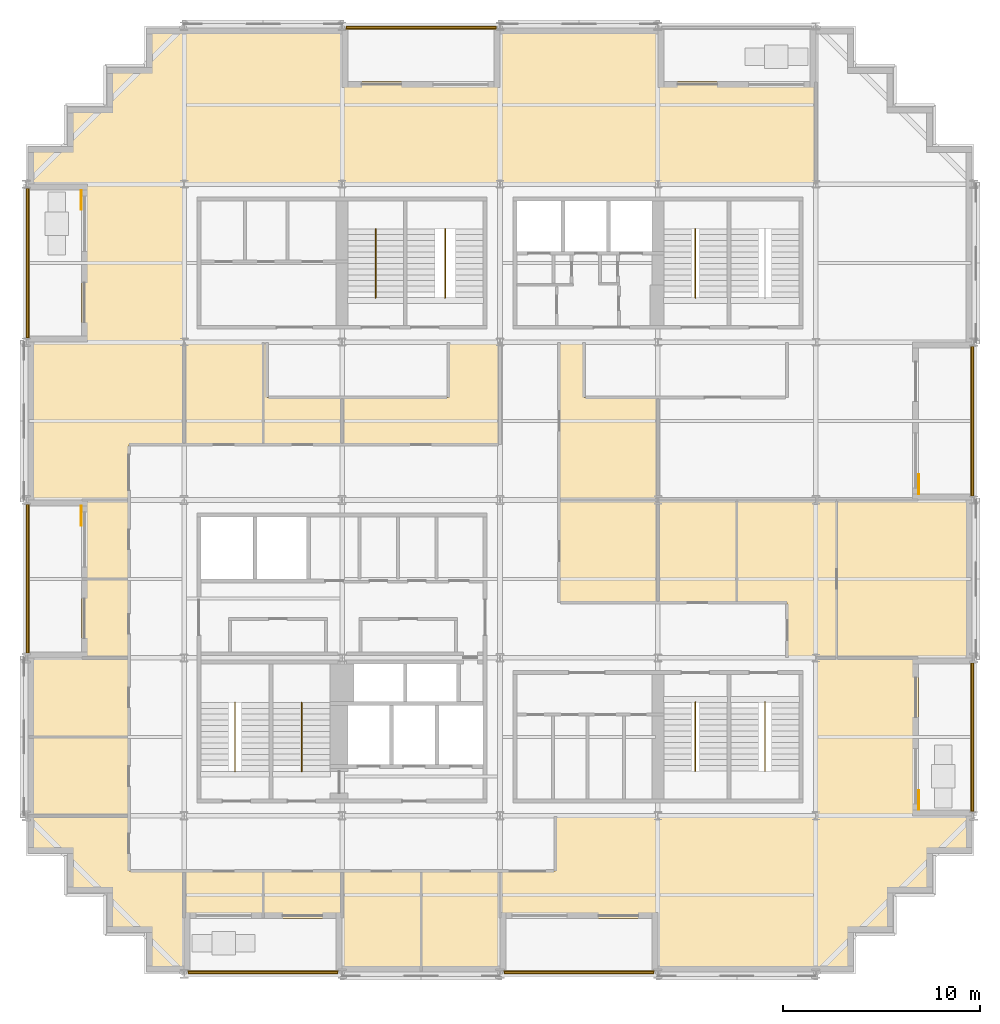
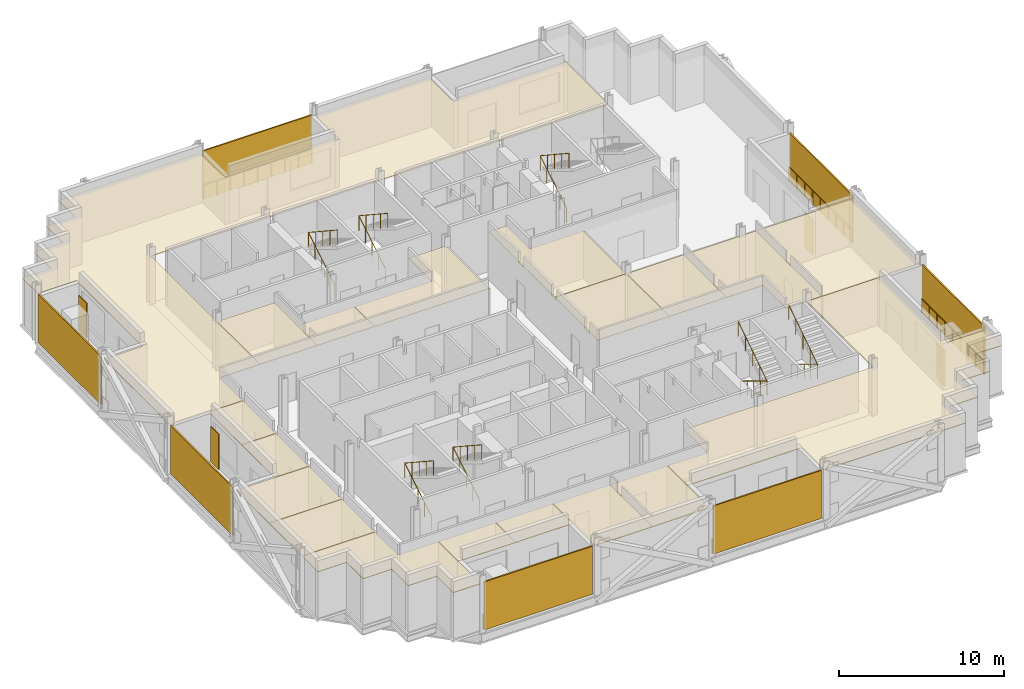
# One storey, part 13 of 15: 19 coverings, 14 railings, 11 shading devices.
"""IFC4 building model written with IfcOpenShell, lengths in metres."""

from ifc_helpers import new_model, si_unit, direction, frame, origin, origin_2d, place, context, subcontext, project, spatial, polyline, rectangle, circle, outline, extrude, material, layer, layer_set, type_object, element, save


model = new_model("IFC4")

# Units and contexts
model_context = context("Model", 3, precision=1e-05, world=origin(), true_north=direction((0.0, 1.0)))
body_context = subcontext(model_context, "Body", "Model", "MODEL_VIEW")
ifc_project = project(units=[si_unit("LENGTHUNIT", "METRE"), si_unit("AREAUNIT", "SQUARE_METRE"), si_unit("VOLUMEUNIT", "CUBIC_METRE"), si_unit("PLANEANGLEUNIT", "RADIAN"), si_unit("MASSUNIT", "GRAM", prefix="KILO")], contexts=[model_context])

# Site, building, storey
site_placement = place(None, origin())
site = spatial("IfcSite", under=ifc_project, at=site_placement, CompositionType="ELEMENT")
building_placement = place(site_placement, origin())
building = spatial("IfcBuilding", under=site, at=building_placement, Name="Immortelle Media Tower", CompositionType="ELEMENT")
storey_placement = place(building_placement, frame((0.0, 0.0, 78.800048828125)))
storey = spatial("IfcBuildingStorey", under=building, at=storey_placement, Name="L14", CompositionType="ELEMENT", Elevation=78.800048828125)

# Railings
ifc_material_1 = material(Name="Powder-coated aluminium fretwork panel, laminated glass backing", Category="aluminium")
railing_type_1 = type_object("IfcRailingType", Name="Fretwork balustrade 1100", PredefinedType="BALUSTRADE", material=ifc_material_1)
railing_1_placement = place(storey_placement, frame((0.139892578125, 39.800537109375, 0.0)))
element("IfcRailing", 1, at=railing_1_placement, inside=storey, type_object=railing_type_1, Name="Fretwork balustrade L14 W0", PredefinedType="BALUSTRADE", context=body_context, shape_type="SweptSolid", body=[
    extrude(circle(Radius=0.02490234375, at=origin_2d()), frame((0.0, 0.0, 1.0751953125), z_axis=(0.0, -1.0, 0.0), x_axis=(1.0, 0.0, 0.0)), (0.0, 0.0, 1.0), 7.58349609375),
    extrude(circle(Radius=0.02001953125, at=origin_2d()), origin(), (0.0, 0.0, 1.0), 1.050048828125),
    extrude(circle(Radius=0.02001953125, at=origin_2d()), frame((0.0, -0.947998046875, 0.0)), (0.0, 0.0, 1.0), 1.050048828125),
    extrude(circle(Radius=0.02001953125, at=origin_2d()), frame((0.0, -1.89599609375, 0.0)), (0.0, 0.0, 1.0), 1.050048828125),
    extrude(circle(Radius=0.02001953125, at=origin_2d()), frame((0.0, -2.84375, 0.0)), (0.0, 0.0, 1.0), 1.050048828125),
    extrude(circle(Radius=0.02001953125, at=origin_2d()), frame((0.0, -3.791748046875, 0.0)), (0.0, 0.0, 1.0), 1.050048828125),
    extrude(circle(Radius=0.02001953125, at=origin_2d()), frame((0.0, -4.73974609375, 0.0)), (0.0, 0.0, 1.0), 1.050048828125),
    extrude(circle(Radius=0.02001953125, at=origin_2d()), frame((0.0, -5.6875, 0.0)), (0.0, 0.0, 1.0), 1.050048828125),
    extrude(circle(Radius=0.02001953125, at=origin_2d()), frame((0.0, -6.635498046875, 0.0)), (0.0, 0.0, 1.0), 1.050048828125),
    extrude(circle(Radius=0.02001953125, at=origin_2d()), frame((0.0, -7.58349609375, 0.0)), (0.0, 0.0, 1.0), 1.050048828125),
])
railing_2_placement = place(storey_placement, frame((0.139892578125, 23.782958984375, 0.0)))
element("IfcRailing", 2, at=railing_2_placement, inside=storey, type_object=railing_type_1, Name="Fretwork balustrade L14 W2", PredefinedType="BALUSTRADE", context=body_context, shape_type="SweptSolid", body=[
    extrude(circle(Radius=0.02490234375, at=origin_2d()), frame((0.0, 0.0, 1.0751953125), z_axis=(0.0, -1.0, 0.0), x_axis=(1.0, 0.0, 0.0)), (0.0, 0.0, 1.0), 7.533935546875),
    extrude(circle(Radius=0.02001953125, at=origin_2d()), origin(), (0.0, 0.0, 1.0), 1.050048828125),
    extrude(circle(Radius=0.02001953125, at=origin_2d()), frame((0.0, -0.941650390625, 0.0)), (0.0, 0.0, 1.0), 1.050048828125),
    extrude(circle(Radius=0.02001953125, at=origin_2d()), frame((0.0, -1.883544921875, 0.0)), (0.0, 0.0, 1.0), 1.050048828125),
    extrude(circle(Radius=0.02001953125, at=origin_2d()), frame((0.0, -2.8251953125, 0.0)), (0.0, 0.0, 1.0), 1.050048828125),
    extrude(circle(Radius=0.02001953125, at=origin_2d()), frame((0.0, -3.76708984375, 0.0)), (0.0, 0.0, 1.0), 1.050048828125),
    extrude(circle(Radius=0.02001953125, at=origin_2d()), frame((0.0, -4.708740234375, 0.0)), (0.0, 0.0, 1.0), 1.050048828125),
    extrude(circle(Radius=0.02001953125, at=origin_2d()), frame((0.0, -5.650390625, 0.0)), (0.0, 0.0, 1.0), 1.050048828125),
    extrude(circle(Radius=0.02001953125, at=origin_2d()), frame((0.0, -6.59228515625, 0.0)), (0.0, 0.0, 1.0), 1.050048828125),
    extrude(circle(Radius=0.02001953125, at=origin_2d()), frame((0.0, -7.533935546875, 0.0)), (0.0, 0.0, 1.0), 1.050048828125),
])
railing_3_placement = place(storey_placement, frame((8.20947265625, 0.139892578125, 0.0)))
element("IfcRailing", 3, at=railing_3_placement, inside=storey, type_object=railing_type_1, Name="Fretwork balustrade L14 S0", PredefinedType="BALUSTRADE", context=body_context, shape_type="SweptSolid", body=[
    extrude(circle(Radius=0.02490234375, at=origin_2d()), frame((0.0, 0.0, 1.0751953125), z_axis=(1.0, 0.0, 0.0), x_axis=(0.0, 1.0, 0.0)), (0.0, 0.0, 1.0), 7.574462890625),
    extrude(circle(Radius=0.02001953125, at=origin_2d()), origin(), (0.0, 0.0, 1.0), 1.050048828125),
    extrude(circle(Radius=0.02001953125, at=origin_2d()), frame((0.94677734375, 0.0, 0.0)), (0.0, 0.0, 1.0), 1.050048828125),
    extrude(circle(Radius=0.02001953125, at=origin_2d()), frame((1.8935546875, 0.0, 0.0)), (0.0, 0.0, 1.0), 1.050048828125),
    extrude(circle(Radius=0.02001953125, at=origin_2d()), frame((2.84033203125, 0.0, 0.0)), (0.0, 0.0, 1.0), 1.050048828125),
    extrude(circle(Radius=0.02001953125, at=origin_2d()), frame((3.787109375, 0.0, 0.0)), (0.0, 0.0, 1.0), 1.050048828125),
    extrude(circle(Radius=0.02001953125, at=origin_2d()), frame((4.734130859375, 0.0, 0.0)), (0.0, 0.0, 1.0), 1.050048828125),
    extrude(circle(Radius=0.02001953125, at=origin_2d()), frame((5.680908203125, 0.0, 0.0)), (0.0, 0.0, 1.0), 1.050048828125),
    extrude(circle(Radius=0.02001953125, at=origin_2d()), frame((6.627685546875, 0.0, 0.0)), (0.0, 0.0, 1.0), 1.050048828125),
    extrude(circle(Radius=0.02001953125, at=origin_2d()), frame((7.574462890625, 0.0, 0.0)), (0.0, 0.0, 1.0), 1.050048828125),
])
railing_4_placement = place(storey_placement, frame((24.216064453125, 0.139892578125, 0.0)))
element("IfcRailing", 4, at=railing_4_placement, inside=storey, type_object=railing_type_1, Name="Fretwork balustrade L14 S2", PredefinedType="BALUSTRADE", context=body_context, shape_type="SweptSolid", body=[
    extrude(circle(Radius=0.02490234375, at=origin_2d()), frame((0.0, 0.0, 1.0751953125), z_axis=(1.0, 0.0, 0.0), x_axis=(0.0, 1.0, 0.0)), (0.0, 0.0, 1.0), 7.56787109375),
    extrude(circle(Radius=0.02001953125, at=origin_2d()), origin(), (0.0, 0.0, 1.0), 1.050048828125),
    extrude(circle(Radius=0.02001953125, at=origin_2d()), frame((0.946044921875, 0.0, 0.0)), (0.0, 0.0, 1.0), 1.050048828125),
    extrude(circle(Radius=0.02001953125, at=origin_2d()), frame((1.89208984375, 0.0, 0.0)), (0.0, 0.0, 1.0), 1.050048828125),
    extrude(circle(Radius=0.02001953125, at=origin_2d()), frame((2.837890625, 0.0, 0.0)), (0.0, 0.0, 1.0), 1.050048828125),
    extrude(circle(Radius=0.02001953125, at=origin_2d()), frame((3.783935546875, 0.0, 0.0)), (0.0, 0.0, 1.0), 1.050048828125),
    extrude(circle(Radius=0.02001953125, at=origin_2d()), frame((4.72998046875, 0.0, 0.0)), (0.0, 0.0, 1.0), 1.050048828125),
    extrude(circle(Radius=0.02001953125, at=origin_2d()), frame((5.67578125, 0.0, 0.0)), (0.0, 0.0, 1.0), 1.050048828125),
    extrude(circle(Radius=0.02001953125, at=origin_2d()), frame((6.621826171875, 0.0, 0.0)), (0.0, 0.0, 1.0), 1.050048828125),
    extrude(circle(Radius=0.02001953125, at=origin_2d()), frame((7.56787109375, 0.0, 0.0)), (0.0, 0.0, 1.0), 1.050048828125),
])
railing_5_placement = place(storey_placement, frame((47.860107421875, 8.2275390625, 0.0)))
element("IfcRailing", 5, at=railing_5_placement, inside=storey, type_object=railing_type_1, Name="Fretwork balustrade L14 E0", PredefinedType="BALUSTRADE", context=body_context, shape_type="SweptSolid", body=[
    extrude(circle(Radius=0.02490234375, at=origin_2d()), frame((0.0, 0.0, 1.0751953125), z_axis=(0.0, 1.0, 0.0), x_axis=(-1.0, 0.0, 0.0)), (0.0, 0.0, 1.0), 7.5234375),
    extrude(circle(Radius=0.02001953125, at=origin_2d()), origin(), (0.0, 0.0, 1.0), 1.050048828125),
    extrude(circle(Radius=0.02001953125, at=origin_2d()), frame((0.0, 0.9404296875, 0.0)), (0.0, 0.0, 1.0), 1.050048828125),
    extrude(circle(Radius=0.02001953125, at=origin_2d()), frame((0.0, 1.880859375, 0.0)), (0.0, 0.0, 1.0), 1.050048828125),
    extrude(circle(Radius=0.02001953125, at=origin_2d()), frame((0.0, 2.8212890625, 0.0)), (0.0, 0.0, 1.0), 1.050048828125),
    extrude(circle(Radius=0.02001953125, at=origin_2d()), frame((0.0, 3.76171875, 0.0)), (0.0, 0.0, 1.0), 1.050048828125),
    extrude(circle(Radius=0.02001953125, at=origin_2d()), frame((0.0, 4.7021484375, 0.0)), (0.0, 0.0, 1.0), 1.050048828125),
    extrude(circle(Radius=0.02001953125, at=origin_2d()), frame((0.0, 5.642578125, 0.0)), (0.0, 0.0, 1.0), 1.050048828125),
    extrude(circle(Radius=0.02001953125, at=origin_2d()), frame((0.0, 6.5830078125, 0.0)), (0.0, 0.0, 1.0), 1.050048828125),
    extrude(circle(Radius=0.02001953125, at=origin_2d()), frame((0.0, 7.5234375, 0.0)), (0.0, 0.0, 1.0), 1.050048828125),
])
railing_6_placement = place(storey_placement, frame((47.860107421875, 24.199462890625, 0.0)))
element("IfcRailing", 6, at=railing_6_placement, inside=storey, type_object=railing_type_1, Name="Fretwork balustrade L14 E2", PredefinedType="BALUSTRADE", context=body_context, shape_type="SweptSolid", body=[
    extrude(circle(Radius=0.02490234375, at=origin_2d()), frame((0.0, 0.0, 1.0751953125), z_axis=(0.0, 1.0, 0.0), x_axis=(-1.0, 0.0, 0.0)), (0.0, 0.0, 1.0), 7.60107421875),
    extrude(circle(Radius=0.02001953125, at=origin_2d()), origin(), (0.0, 0.0, 1.0), 1.050048828125),
    extrude(circle(Radius=0.02001953125, at=origin_2d()), frame((0.0, 0.9501953125, 0.0)), (0.0, 0.0, 1.0), 1.050048828125),
    extrude(circle(Radius=0.02001953125, at=origin_2d()), frame((0.0, 1.900390625, 0.0)), (0.0, 0.0, 1.0), 1.050048828125),
    extrude(circle(Radius=0.02001953125, at=origin_2d()), frame((0.0, 2.850341796875, 0.0)), (0.0, 0.0, 1.0), 1.050048828125),
    extrude(circle(Radius=0.02001953125, at=origin_2d()), frame((0.0, 3.800537109375, 0.0)), (0.0, 0.0, 1.0), 1.050048828125),
    extrude(circle(Radius=0.02001953125, at=origin_2d()), frame((0.0, 4.750732421875, 0.0)), (0.0, 0.0, 1.0), 1.050048828125),
    extrude(circle(Radius=0.02001953125, at=origin_2d()), frame((0.0, 5.70068359375, 0.0)), (0.0, 0.0, 1.0), 1.050048828125),
    extrude(circle(Radius=0.02001953125, at=origin_2d()), frame((0.0, 6.65087890625, 0.0)), (0.0, 0.0, 1.0), 1.050048828125),
    extrude(circle(Radius=0.02001953125, at=origin_2d()), frame((0.0, 7.60107421875, 0.0)), (0.0, 0.0, 1.0), 1.050048828125),
])
railing_7_placement = place(storey_placement, frame((23.799560546875, 47.860107421875, 0.0)))
element("IfcRailing", 7, at=railing_7_placement, inside=storey, type_object=railing_type_1, Name="Fretwork balustrade L14 N2", PredefinedType="BALUSTRADE", context=body_context, shape_type="SweptSolid", body=[
    extrude(circle(Radius=0.02490234375, at=origin_2d()), frame((0.0, 0.0, 1.0751953125), z_axis=(-1.0, 0.0, 0.0), x_axis=(0.0, -1.0, 0.0)), (0.0, 0.0, 1.0), 7.593994140625),
    extrude(circle(Radius=0.02001953125, at=origin_2d()), origin(), (0.0, 0.0, 1.0), 1.050048828125),
    extrude(circle(Radius=0.02001953125, at=origin_2d()), frame((-0.94921875, 0.0, 0.0)), (0.0, 0.0, 1.0), 1.050048828125),
    extrude(circle(Radius=0.02001953125, at=origin_2d()), frame((-1.8984375, 0.0, 0.0)), (0.0, 0.0, 1.0), 1.050048828125),
    extrude(circle(Radius=0.02001953125, at=origin_2d()), frame((-2.84765625, 0.0, 0.0)), (0.0, 0.0, 1.0), 1.050048828125),
    extrude(circle(Radius=0.02001953125, at=origin_2d()), frame((-3.796875, 0.0, 0.0)), (0.0, 0.0, 1.0), 1.050048828125),
    extrude(circle(Radius=0.02001953125, at=origin_2d()), frame((-4.746337890625, 0.0, 0.0)), (0.0, 0.0, 1.0), 1.050048828125),
    extrude(circle(Radius=0.02001953125, at=origin_2d()), frame((-5.695556640625, 0.0, 0.0)), (0.0, 0.0, 1.0), 1.050048828125),
    extrude(circle(Radius=0.02001953125, at=origin_2d()), frame((-6.644775390625, 0.0, 0.0)), (0.0, 0.0, 1.0), 1.050048828125),
    extrude(circle(Radius=0.02001953125, at=origin_2d()), frame((-7.593994140625, 0.0, 0.0)), (0.0, 0.0, 1.0), 1.050048828125),
])

# Shading devices
ifc_material_2 = material(Name="Pale aluminium louvre blades", Category="aluminium")
ifc_layer_1 = layer(ifc_material_2, 0.10009765625)
ifc_layer_set_1 = layer_set([ifc_layer_1], Name="Pale aluminium louvre blades")
shading_device_type_1 = type_object("IfcShadingDeviceType", Name="Jalousie screen 100", PredefinedType="JALOUSIE", material=ifc_layer_set_1)
shading_device_1_placement = place(storey_placement, frame((0.050048828125, 36.0087890625, 0.0), z_axis=(0.0, 0.0, 1.0), x_axis=(0.0, -1.0, 0.0)))
element("IfcShadingDevice", 8, at=shading_device_1_placement, inside=storey, type_object=shading_device_type_1, Name="Jalousie screen L14 W0", PredefinedType="JALOUSIE", context=body_context, shape_type="SweptSolid", body=[
    extrude(rectangle(XDim=7.58349609375, YDim=0.10009765625, at=origin_2d()), origin(), (0.0, 0.0, 1.0), 3.556884765625),
])
shading_device_2_placement = place(storey_placement, frame((0.050048828125, 20.01611328125, 0.0), z_axis=(0.0, 0.0, 1.0), x_axis=(0.0, -1.0, 0.0)))
element("IfcShadingDevice", 9, at=shading_device_2_placement, inside=storey, type_object=shading_device_type_1, Name="Jalousie screen L14 W2", PredefinedType="JALOUSIE", context=body_context, shape_type="SweptSolid", body=[
    extrude(rectangle(XDim=7.533935546875, YDim=0.10009765625, at=origin_2d()), origin(), (0.0, 0.0, 1.0), 3.556884765625),
])
shading_device_3_placement = place(storey_placement, frame((11.996826171875, 0.050048828125, 0.0), z_axis=(0.0, 0.0, 1.0), x_axis=(1.0, 0.0, 0.0)))
element("IfcShadingDevice", 10, at=shading_device_3_placement, inside=storey, type_object=shading_device_type_1, Name="Jalousie screen L14 S0", PredefinedType="JALOUSIE", context=body_context, shape_type="SweptSolid", body=[
    extrude(rectangle(XDim=7.574462890625, YDim=0.10009765625, at=origin_2d()), origin(), (0.0, 0.0, 1.0), 3.556884765625),
])
shading_device_4_placement = place(storey_placement, frame((28.0, 0.050048828125, 0.0), z_axis=(0.0, 0.0, 1.0), x_axis=(1.0, 0.0, 0.0)))
element("IfcShadingDevice", 11, at=shading_device_4_placement, inside=storey, type_object=shading_device_type_1, Name="Jalousie screen L14 S2", PredefinedType="JALOUSIE", context=body_context, shape_type="SweptSolid", body=[
    extrude(rectangle(XDim=7.568115234375, YDim=0.10009765625, at=origin_2d()), origin(), (0.0, 0.0, 1.0), 3.556884765625),
])
shading_device_5_placement = place(storey_placement, frame((47.949951171875, 11.9892578125, 0.0), z_axis=(0.0, 0.0, 1.0), x_axis=(0.0, 1.0, 0.0)))
element("IfcShadingDevice", 12, at=shading_device_5_placement, inside=storey, type_object=shading_device_type_1, Name="Jalousie screen L14 E0", PredefinedType="JALOUSIE", context=body_context, shape_type="SweptSolid", body=[
    extrude(rectangle(XDim=7.5234375, YDim=0.10009765625, at=origin_2d()), origin(), (0.0, 0.0, 1.0), 3.556884765625),
])
shading_device_6_placement = place(storey_placement, frame((47.949951171875, 28.0, 0.0), z_axis=(0.0, 0.0, 1.0), x_axis=(0.0, 1.0, 0.0)))
element("IfcShadingDevice", 13, at=shading_device_6_placement, inside=storey, type_object=shading_device_type_1, Name="Jalousie screen L14 E2", PredefinedType="JALOUSIE", context=body_context, shape_type="SweptSolid", body=[
    extrude(rectangle(XDim=7.60107421875, YDim=0.10009765625, at=origin_2d()), origin(), (0.0, 0.0, 1.0), 3.556884765625),
])
shading_device_7_placement = place(storey_placement, frame((20.00244140625, 47.949951171875, 0.0), z_axis=(0.0, 0.0, 1.0), x_axis=(-1.0, 0.0, 0.0)))
element("IfcShadingDevice", 14, at=shading_device_7_placement, inside=storey, type_object=shading_device_type_1, Name="Jalousie screen L14 N2", PredefinedType="JALOUSIE", context=body_context, shape_type="SweptSolid", body=[
    extrude(rectangle(XDim=7.593994140625, YDim=0.10009765625, at=origin_2d()), origin(), (0.0, 0.0, 1.0), 3.556884765625),
])
ifc_material_3 = material(Name="Pale aluminium louvre blades in a folding frame", Category="aluminium")
ifc_layer_2 = layer(ifc_material_3, 0.050048828125)
ifc_layer_set_2 = layer_set([ifc_layer_2], Name="Pale aluminium louvre blades in a folding frame")
shading_device_type_2 = type_object("IfcShadingDeviceType", Name="Louvred loggia shutter", PredefinedType="SHUTTER", material=ifc_layer_set_2)
for number, where, z_axis, x_axis, name in (
    (15, (2.77490234375, 39.199951171875, 0.0), (0.0, 0.0, 1.0), (0.0, -1.0, 0.0), "Loggia shutter L14 W0"),
    (16, (2.77490234375, 23.199951171875, 0.0), (0.0, 0.0, 1.0), (0.0, -1.0, 0.0), "Loggia shutter L14 W2"),
    (17, (45.22509765625, 8.800048828125, 0.0), (0.0, 0.0, 1.0), (0.0, 1.0, 0.0), "Loggia shutter L14 E0"),
    (18, (45.22509765625, 24.800048828125, 0.0), (0.0, 0.0, 1.0), (0.0, 1.0, 0.0), "Loggia shutter L14 E2"),
):
    element("IfcShadingDevice", number, at=place(storey_placement, frame(where, z_axis=z_axis, x_axis=x_axis)), inside=storey, type_object=shading_device_type_2, Name=name, PredefinedType="SHUTTER", context=body_context, shape_type="SweptSolid", body=[
        extrude(rectangle(XDim=1.0, YDim=0.050048828125, at=origin_2d()), origin(), (0.0, 0.0, 1.0), 2.60009765625),
    ])

# Railings
ifc_material_4 = material(Name="Stainless steel AISI 316", Category="steel")
railing_type_2 = type_object("IfcRailingType", Name="Stair guard 1100", PredefinedType="GUARDRAIL", material=ifc_material_4)
for number, where, name in (
    (19, (10.574951171875, 10.5400390625, 0.176025390625), "Stair guard SW1"),
    (20, (13.949951171875, 10.5400390625, 0.176025390625), "Stair guard SW2"),
):
    element("IfcRailing", number, at=place(storey_placement, frame(where)), inside=storey, type_object=railing_type_2, Name=name, PredefinedType="GUARDRAIL", context=body_context, shape_type="SweptSolid", body=[
        extrude(circle(Radius=0.02392578125, at=origin_2d()), frame((0.0, 0.0, 1.076171875), z_axis=(0.0, 0.854872504309, 0.518838126371), x_axis=(-1.0, 0.0, 0.0)), (0.0, 0.0, 1.0), 3.7314453125),
        extrude(circle(Radius=0.02392578125, at=origin_2d()), frame((0.0, 3.18994140625, 3.01220703125), z_axis=(0.0, -0.835595538677, 0.549345151743), x_axis=(1.0, 0.0, 0.0)), (0.0, 0.0, 1.0), 4.16455078125),
        extrude(circle(Radius=0.02099609375, at=origin_2d()), origin(), (0.0, 0.0, 1.0), 1.052001953125),
        extrude(circle(Radius=0.02099609375, at=origin_2d()), frame((0.0, 0.79736328125, 0.48388671875)), (0.0, 0.0, 1.0), 1.052001953125),
        extrude(circle(Radius=0.02099609375, at=origin_2d()), frame((0.0, 1.594970703125, 0.968017578125)), (0.0, 0.0, 1.0), 1.052001953125),
        extrude(circle(Radius=0.02099609375, at=origin_2d()), frame((0.0, 2.392578125, 1.4521484375)), (0.0, 0.0, 1.0), 1.052001953125),
        extrude(circle(Radius=0.02099609375, at=origin_2d()), frame((0.0, 3.18994140625, 1.93603515625)), (0.0, 0.0, 1.0), 1.052001953125),
        extrude(circle(Radius=0.02099609375, at=origin_2d()), frame((0.0, 2.31982421875, 2.508056640625)), (0.0, 0.0, 1.0), 1.052001953125),
        extrude(circle(Radius=0.02099609375, at=origin_2d()), frame((0.0, 1.449951171875, 3.080078125)), (0.0, 0.0, 1.0), 1.052001953125),
        extrude(circle(Radius=0.02099609375, at=origin_2d()), frame((0.0, 0.580078125, 3.65185546875)), (0.0, 0.0, 1.0), 1.052001953125),
        extrude(circle(Radius=0.02099609375, at=origin_2d()), frame((0.0, -0.2900390625, 4.223876953125)), (0.0, 0.0, 1.0), 1.052001953125),
    ])
for number, where, name in (
    (21, (33.89990234375, 13.4599609375, 0.176025390625), "Stair guard SE1"),
    (22, (37.425048828125, 13.4599609375, 0.176025390625), "Stair guard SE2"),
):
    element("IfcRailing", number, at=place(storey_placement, frame(where)), inside=storey, type_object=railing_type_2, Name=name, PredefinedType="GUARDRAIL", context=body_context, shape_type="SweptSolid", body=[
        extrude(circle(Radius=0.02392578125, at=origin_2d()), frame((0.0, 0.0, 1.076171875), z_axis=(0.0, -0.854872504309, 0.518838126371), x_axis=(1.0, 0.0, 0.0)), (0.0, 0.0, 1.0), 3.7314453125),
        extrude(circle(Radius=0.02392578125, at=origin_2d()), frame((0.0, -3.18994140625, 3.01220703125), z_axis=(0.0, 0.835595538677, 0.549345151743), x_axis=(-1.0, 0.0, 0.0)), (0.0, 0.0, 1.0), 4.16455078125),
        extrude(circle(Radius=0.02099609375, at=origin_2d()), origin(), (0.0, 0.0, 1.0), 1.052001953125),
        extrude(circle(Radius=0.02099609375, at=origin_2d()), frame((0.0, -0.79736328125, 0.48388671875)), (0.0, 0.0, 1.0), 1.052001953125),
        extrude(circle(Radius=0.02099609375, at=origin_2d()), frame((0.0, -1.594970703125, 0.968017578125)), (0.0, 0.0, 1.0), 1.052001953125),
        extrude(circle(Radius=0.02099609375, at=origin_2d()), frame((0.0, -2.392578125, 1.4521484375)), (0.0, 0.0, 1.0), 1.052001953125),
        extrude(circle(Radius=0.02099609375, at=origin_2d()), frame((0.0, -3.18994140625, 1.93603515625)), (0.0, 0.0, 1.0), 1.052001953125),
        extrude(circle(Radius=0.02099609375, at=origin_2d()), frame((0.0, -2.31982421875, 2.508056640625)), (0.0, 0.0, 1.0), 1.052001953125),
        extrude(circle(Radius=0.02099609375, at=origin_2d()), frame((0.0, -1.449951171875, 3.080078125)), (0.0, 0.0, 1.0), 1.052001953125),
        extrude(circle(Radius=0.02099609375, at=origin_2d()), frame((0.0, -0.580078125, 3.65185546875)), (0.0, 0.0, 1.0), 1.052001953125),
        extrude(circle(Radius=0.02099609375, at=origin_2d()), frame((0.0, 0.2900390625, 4.223876953125)), (0.0, 0.0, 1.0), 1.052001953125),
    ])
for number, where, name in (
    (23, (17.699951171875, 34.5400390625, 0.176025390625), "Stair guard NW1"),
    (24, (21.22509765625, 34.5400390625, 0.176025390625), "Stair guard NW2"),
    (25, (33.89990234375, 34.5400390625, 0.176025390625), "Stair guard NE1"),
):
    element("IfcRailing", number, at=place(storey_placement, frame(where)), inside=storey, type_object=railing_type_2, Name=name, PredefinedType="GUARDRAIL", context=body_context, shape_type="SweptSolid", body=[
        extrude(circle(Radius=0.02392578125, at=origin_2d()), frame((0.0, 0.0, 1.076171875), z_axis=(0.0, 0.854872504309, 0.518838126371), x_axis=(-1.0, 0.0, 0.0)), (0.0, 0.0, 1.0), 3.7314453125),
        extrude(circle(Radius=0.02392578125, at=origin_2d()), frame((0.0, 3.18994140625, 3.01220703125), z_axis=(0.0, -0.835595538677, 0.549345151743), x_axis=(1.0, 0.0, 0.0)), (0.0, 0.0, 1.0), 4.16455078125),
        extrude(circle(Radius=0.02099609375, at=origin_2d()), origin(), (0.0, 0.0, 1.0), 1.052001953125),
        extrude(circle(Radius=0.02099609375, at=origin_2d()), frame((0.0, 0.79736328125, 0.48388671875)), (0.0, 0.0, 1.0), 1.052001953125),
        extrude(circle(Radius=0.02099609375, at=origin_2d()), frame((0.0, 1.594970703125, 0.968017578125)), (0.0, 0.0, 1.0), 1.052001953125),
        extrude(circle(Radius=0.02099609375, at=origin_2d()), frame((0.0, 2.392578125, 1.4521484375)), (0.0, 0.0, 1.0), 1.052001953125),
        extrude(circle(Radius=0.02099609375, at=origin_2d()), frame((0.0, 3.18994140625, 1.93603515625)), (0.0, 0.0, 1.0), 1.052001953125),
        extrude(circle(Radius=0.02099609375, at=origin_2d()), frame((0.0, 2.31982421875, 2.508056640625)), (0.0, 0.0, 1.0), 1.052001953125),
        extrude(circle(Radius=0.02099609375, at=origin_2d()), frame((0.0, 1.449951171875, 3.080078125)), (0.0, 0.0, 1.0), 1.052001953125),
        extrude(circle(Radius=0.02099609375, at=origin_2d()), frame((0.0, 0.580078125, 3.65185546875)), (0.0, 0.0, 1.0), 1.052001953125),
        extrude(circle(Radius=0.02099609375, at=origin_2d()), frame((0.0, -0.2900390625, 4.223876953125)), (0.0, 0.0, 1.0), 1.052001953125),
    ])

# Coverings
ifc_material_5 = material(Name="Mineral fibre tile ceiling")
ifc_layer_3 = layer(ifc_material_5, 0.050048828125)
ifc_layer_set_3 = layer_set([ifc_layer_3], Name="Mineral fibre tile ceiling")
covering_type = type_object("IfcCoveringType", Name="Suspended ceiling 50", PredefinedType="CEILING", material=ifc_layer_set_3)
covering_1_placement = place(storey_placement, frame((0.0, 0.0, 3.419921875)))
element("IfcCovering", 26, at=covering_1_placement, inside=storey, type_object=covering_type, Name="Ceiling L14-001", PredefinedType="CEILING", context=body_context, shape_type="SweptSolid", body=[
    extrude(outline(polyline([(16.0, 2.800048828125), (16.0, 5.199951171875), (20.0, 5.199951171875), (20.0, 0.10009765625), (16.0, 0.10009765625), (16.0, 2.800048828125)])), origin(), (0.0, 0.0, 1.0), 0.050048828125),
])
covering_2_placement = place(storey_placement, frame((0.0, 0.0, 3.419921875)))
element("IfcCovering", 27, at=covering_2_placement, inside=storey, type_object=covering_type, Name="Ceiling L14-002", PredefinedType="CEILING", context=body_context, shape_type="SweptSolid", body=[
    extrude(outline(polyline([(24.0, 5.199951171875), (24.0, 2.800048828125), (24.0, 0.10009765625), (20.0, 0.10009765625), (20.0, 5.199951171875), (24.0, 5.199951171875)])), origin(), (0.0, 0.0, 1.0), 0.050048828125),
])
covering_3_placement = place(storey_placement, frame((0.0, 0.0, 3.419921875)))
element("IfcCovering", 28, at=covering_3_placement, inside=storey, type_object=covering_type, Name="Ceiling L14-003", PredefinedType="CEILING", context=body_context, shape_type="SweptSolid", body=[
    extrude(outline(polyline([(8.0, 5.199951171875), (12.0, 5.199951171875), (12.0, 2.800048828125), (8.0, 2.800048828125), (8.0, 5.199951171875)])), origin(), (0.0, 0.0, 1.0), 0.050048828125),
])
covering_4_placement = place(storey_placement, frame((0.0, 0.0, 3.419921875)))
element("IfcCovering", 29, at=covering_4_placement, inside=storey, type_object=covering_type, Name="Ceiling L14-004", PredefinedType="CEILING", context=body_context, shape_type="SweptSolid", body=[
    extrude(outline(polyline([(16.0, 5.199951171875), (16.0, 2.800048828125), (12.0, 2.800048828125), (12.0, 5.199951171875), (16.0, 5.199951171875)])), origin(), (0.0, 0.0, 1.0), 0.050048828125),
])
covering_5_placement = place(storey_placement, frame((0.0, 0.0, 3.419921875)))
element("IfcCovering", 30, at=covering_5_placement, inside=storey, type_object=covering_type, Name="Ceiling L14-005", PredefinedType="CEILING", context=body_context, shape_type="SweptSolid", body=[
    extrude(outline(polyline([(6.10009765625, 0.10009765625), (6.10009765625, 2.10009765625), (4.10009765625, 2.10009765625), (4.10009765625, 4.10009765625), (2.10009765625, 4.10009765625), (2.10009765625, 6.10009765625), (0.10009765625, 6.10009765625), (0.10009765625, 8.0), (5.199951171875, 8.0), (5.199951171875, 5.199951171875), (8.0, 5.199951171875), (8.0, 2.800048828125), (8.0, 0.10009765625), (6.10009765625, 0.10009765625)])), origin(), (0.0, 0.0, 1.0), 0.050048828125),
])
covering_6_placement = place(storey_placement, frame((0.0, 0.0, 3.419921875)))
element("IfcCovering", 31, at=covering_6_placement, inside=storey, type_object=covering_type, Name="Ceiling L14-006", PredefinedType="CEILING", context=body_context, shape_type="SweptSolid", body=[
    extrude(outline(polyline([(24.0, 5.199951171875), (26.800048828125, 5.199951171875), (26.800048828125, 8.0), (32.0, 8.0), (40.0, 8.0), (40.0, 16.0), (45.199951171875, 16.0), (45.199951171875, 8.0), (47.89990234375, 8.0), (47.89990234375, 6.10009765625), (45.89990234375, 6.10009765625), (45.89990234375, 4.10009765625), (43.89990234375, 4.10009765625), (43.89990234375, 2.10009765625), (41.89990234375, 2.10009765625), (41.89990234375, 0.10009765625), (40.0, 0.10009765625), (32.0, 0.10009765625), (32.0, 2.800048828125), (24.0, 2.800048828125), (24.0, 5.199951171875)])), origin(), (0.0, 0.0, 1.0), 0.050048828125),
])
covering_7_placement = place(storey_placement, frame((0.0, 0.0, 3.419921875)))
element("IfcCovering", 32, at=covering_7_placement, inside=storey, type_object=covering_type, Name="Ceiling L14-007", PredefinedType="CEILING", context=body_context, shape_type="SweptSolid", body=[
    extrude(outline(polyline([(0.10009765625, 8.0), (0.10009765625, 12.0), (5.199951171875, 12.0), (5.199951171875, 8.0), (0.10009765625, 8.0)])), origin(), (0.0, 0.0, 1.0), 0.050048828125),
])
covering_8_placement = place(storey_placement, frame((0.0, 0.0, 3.419921875)))
element("IfcCovering", 33, at=covering_8_placement, inside=storey, type_object=covering_type, Name="Ceiling L14-008", PredefinedType="CEILING", context=body_context, shape_type="SweptSolid", body=[
    extrude(outline(polyline([(0.10009765625, 16.0), (2.800048828125, 16.0), (5.199951171875, 16.0), (5.199951171875, 12.0), (0.10009765625, 12.0), (0.10009765625, 16.0)])), origin(), (0.0, 0.0, 1.0), 0.050048828125),
])
covering_9_placement = place(storey_placement, frame((0.0, 0.0, 3.419921875)))
element("IfcCovering", 34, at=covering_9_placement, inside=storey, type_object=covering_type, Name="Ceiling L14-009", PredefinedType="CEILING", context=body_context, shape_type="SweptSolid", body=[
    extrude(outline(polyline([(5.199951171875, 16.0), (2.800048828125, 16.0), (2.800048828125, 20.0), (5.199951171875, 20.0), (5.199951171875, 19.449951171875), (5.199951171875, 16.0)])), origin(), (0.0, 0.0, 1.0), 0.050048828125),
])
covering_10_placement = place(storey_placement, frame((0.0, 0.0, 3.419921875)))
element("IfcCovering", 35, at=covering_10_placement, inside=storey, type_object=covering_type, Name="Ceiling L14-010", PredefinedType="CEILING", context=body_context, shape_type="SweptSolid", body=[
    extrude(outline(polyline([(2.800048828125, 24.0), (5.199951171875, 24.0), (5.199951171875, 20.0), (2.800048828125, 20.0), (2.800048828125, 24.0)])), origin(), (0.0, 0.0, 1.0), 0.050048828125),
])
covering_11_placement = place(storey_placement, frame((0.0, 0.0, 3.419921875)))
element("IfcCovering", 36, at=covering_11_placement, inside=storey, type_object=covering_type, Name="Ceiling L14-011", PredefinedType="CEILING", context=body_context, shape_type="SweptSolid", body=[
    extrude(outline(polyline([(32.0, 18.800048828125), (32.0, 24.0), (36.0, 24.0), (36.0, 18.800048828125), (32.0, 18.800048828125)])), origin(), (0.0, 0.0, 1.0), 0.050048828125),
])
covering_12_placement = place(storey_placement, frame((0.0, 0.0, 3.419921875)))
element("IfcCovering", 37, at=covering_12_placement, inside=storey, type_object=covering_type, Name="Ceiling L14-012", PredefinedType="CEILING", context=body_context, shape_type="SweptSolid", body=[
    extrude(outline(polyline([(36.0, 18.800048828125), (36.0, 24.0), (40.0, 24.0), (41.050048828125, 24.0), (41.050048828125, 16.0), (40.0, 16.0), (38.550048828125, 16.0), (38.550048828125, 18.800048828125), (36.0, 18.800048828125)])), origin(), (0.0, 0.0, 1.0), 0.050048828125),
])
covering_13_placement = place(storey_placement, frame((0.0, 0.0, 3.419921875)))
element("IfcCovering", 38, at=covering_13_placement, inside=storey, type_object=covering_type, Name="Ceiling L14-013", PredefinedType="CEILING", context=body_context, shape_type="SweptSolid", body=[
    extrude(outline(polyline([(45.199951171875, 24.0), (47.89990234375, 24.0), (47.89990234375, 16.0), (45.199951171875, 16.0), (41.050048828125, 16.0), (41.050048828125, 24.0), (45.199951171875, 24.0)])), origin(), (0.0, 0.0, 1.0), 0.050048828125),
])
covering_14_placement = place(storey_placement, frame((0.0, 0.0, 3.419921875)))
element("IfcCovering", 39, at=covering_14_placement, inside=storey, type_object=covering_type, Name="Ceiling L14-014", PredefinedType="CEILING", context=body_context, shape_type="SweptSolid", body=[
    extrude(outline(polyline([(32.0, 18.800048828125), (27.0, 18.800048828125), (27.0, 24.0), (32.0, 24.0), (32.0, 18.800048828125)])), origin(), (0.0, 0.0, 1.0), 0.050048828125),
])
covering_15_placement = place(storey_placement, frame((0.0, 0.0, 3.419921875)))
element("IfcCovering", 40, at=covering_15_placement, inside=storey, type_object=covering_type, Name="Ceiling L14-015", PredefinedType="CEILING", context=body_context, shape_type="SweptSolid", body=[
    extrude(outline(polyline([(27.0, 24.0), (27.0, 32.0), (28.25, 32.0), (28.25, 29.199951171875), (32.0, 29.199951171875), (32.0, 24.0), (27.0, 24.0)])), origin(), (0.0, 0.0, 1.0), 0.050048828125),
])
covering_16_placement = place(storey_placement, frame((0.0, 0.0, 3.419921875)))
element("IfcCovering", 41, at=covering_16_placement, inside=storey, type_object=covering_type, Name="Ceiling L14-016", PredefinedType="CEILING", context=body_context, shape_type="SweptSolid", body=[
    extrude(outline(polyline([(16.0, 26.800048828125), (16.0, 29.199951171875), (21.39990234375, 29.199951171875), (21.39990234375, 32.0), (24.0, 32.0), (24.0, 26.800048828125), (16.0, 26.800048828125)])), origin(), (0.0, 0.0, 1.0), 0.050048828125),
])
covering_17_placement = place(storey_placement, frame((0.0, 0.0, 3.419921875)))
element("IfcCovering", 42, at=covering_17_placement, inside=storey, type_object=covering_type, Name="Ceiling L14-017", PredefinedType="CEILING", context=body_context, shape_type="SweptSolid", body=[
    extrude(outline(polyline([(8.0, 32.0), (12.0, 32.0), (12.0, 26.800048828125), (8.0, 26.800048828125), (8.0, 32.0)])), origin(), (0.0, 0.0, 1.0), 0.050048828125),
])
covering_18_placement = place(storey_placement, frame((0.0, 0.0, 3.419921875)))
element("IfcCovering", 43, at=covering_18_placement, inside=storey, type_object=covering_type, Name="Ceiling L14-018", PredefinedType="CEILING", context=body_context, shape_type="SweptSolid", body=[
    extrude(outline(polyline([(12.199951171875, 32.0), (12.199951171875, 29.199951171875), (16.0, 29.199951171875), (16.0, 26.800048828125), (12.0, 26.800048828125), (12.0, 32.0), (12.199951171875, 32.0)])), origin(), (0.0, 0.0, 1.0), 0.050048828125),
])
covering_19_placement = place(storey_placement, frame((0.0, 0.0, 3.419921875)))
element("IfcCovering", 44, at=covering_19_placement, inside=storey, type_object=covering_type, Name="Ceiling L14-020", PredefinedType="CEILING", context=body_context, shape_type="SweptSolid", body=[
    extrude(outline(polyline([(2.800048828125, 40.0), (0.10009765625, 40.0), (0.10009765625, 41.89990234375), (2.10009765625, 41.89990234375), (2.10009765625, 43.89990234375), (4.10009765625, 43.89990234375), (4.10009765625, 45.89990234375), (6.10009765625, 45.89990234375), (6.10009765625, 47.89990234375), (8.0, 47.89990234375), (16.0, 47.89990234375), (16.0, 45.199951171875), (24.0, 45.199951171875), (24.0, 47.89990234375), (32.0, 47.89990234375), (32.0, 45.199951171875), (40.0, 45.199951171875), (40.0, 40.0), (32.0, 40.0), (24.0, 40.0), (16.0, 40.0), (8.0, 40.0), (8.0, 32.0), (8.0, 26.800048828125), (5.199951171875, 26.800048828125), (5.199951171875, 24.0), (2.800048828125, 24.0), (0.10009765625, 24.0), (0.10009765625, 32.0), (2.800048828125, 32.0), (2.800048828125, 40.0)])), origin(), (0.0, 0.0, 1.0), 0.050048828125),
])

save(model, "model.ifc")
